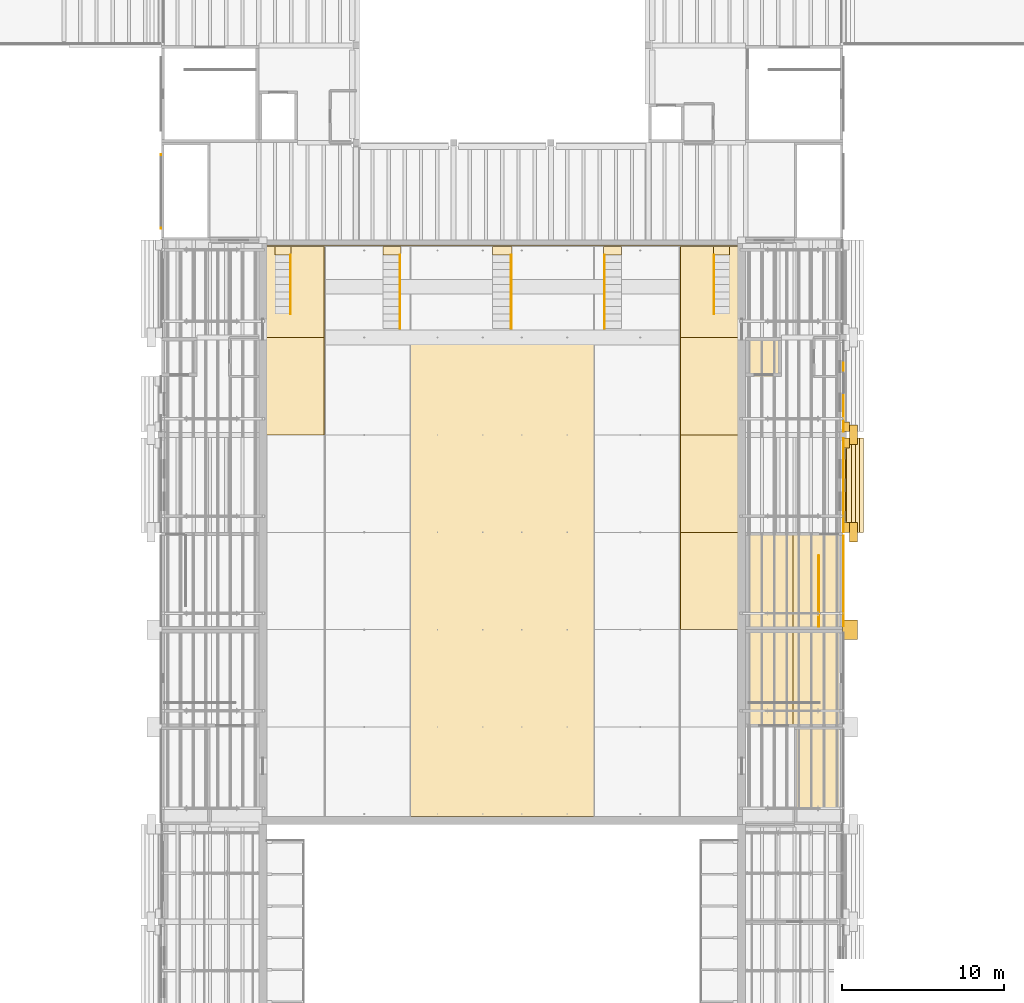
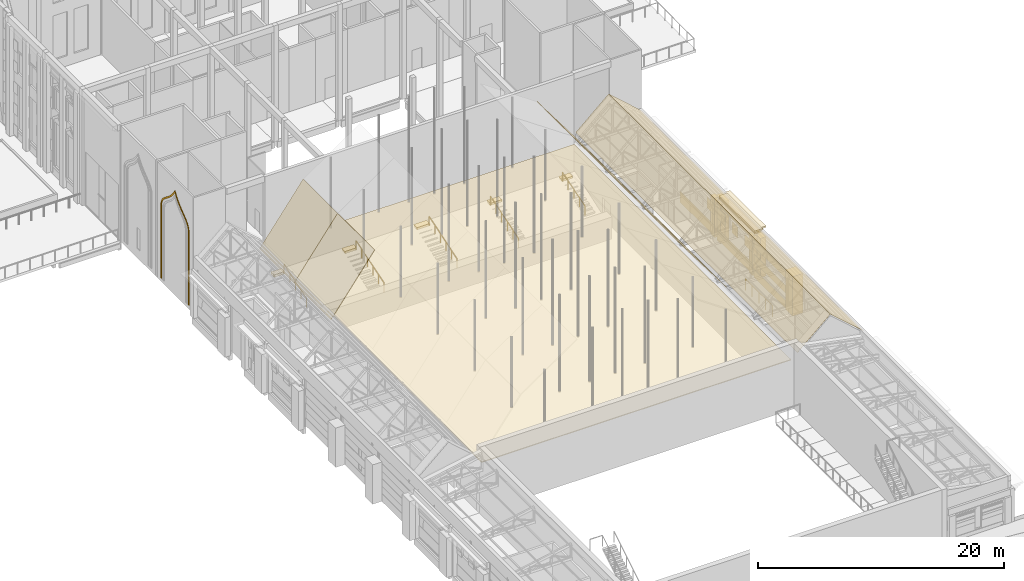
# One storey, part 111 of 118: 38 coverings, 6 railings.
"""IFC4 building model written with IfcOpenShell, lengths in metres."""

from ifc_helpers import new_model, si_unit, direction, frame, origin, origin_2d, place, context, subcontext, project, spatial, polyline, rectangle, circle, outline, extrude, material, layer, layer_set, type_object, element, save


model = new_model("IFC4")

# Units and contexts
model_context = context("Model", 3, precision=1e-05, world=origin(), true_north=direction((0.0, 1.0)))
body_context = subcontext(model_context, "Body", "Model", "MODEL_VIEW")
ifc_project = project(units=[si_unit("LENGTHUNIT", "METRE"), si_unit("AREAUNIT", "SQUARE_METRE"), si_unit("VOLUMEUNIT", "CUBIC_METRE"), si_unit("PLANEANGLEUNIT", "RADIAN"), si_unit("MASSUNIT", "GRAM", prefix="KILO")], contexts=[model_context])

# Site, building, storey
site_placement = place(None, origin())
site = spatial("IfcSite", under=ifc_project, at=site_placement, CompositionType="ELEMENT")
building_placement = place(site_placement, origin())
building = spatial("IfcBuilding", under=site, at=building_placement, Name="Saffron Lane Theatres", CompositionType="ELEMENT")
storey_placement = place(building_placement, frame((0.0, 0.0, 16.5)))
storey = spatial("IfcBuildingStorey", under=building, at=storey_placement, Name="L03", CompositionType="ELEMENT", Elevation=16.5)

# Coverings
ifc_material_1 = material(Name="Masonry sandstone", Category="masonry")
ifc_layer_1 = layer(ifc_material_1, 0.050048828125)
ifc_layer_set_1 = layer_set([ifc_layer_1], Name="Masonry sandstone")
covering_type_1 = type_object("IfcCoveringType", Name="EX-ARCH FRAME RING SANDSTONE 50", PredefinedType="CLADDING", material=ifc_layer_set_1)
covering_1_placement = place(storey_placement, frame((12.0, 90.715087890625, 7.7890625), z_axis=(1.0, 0.0, 0.0), x_axis=(0.0, -0.06709359494, -0.997746686047)))
element("IfcCovering", 1, at=covering_1_placement, inside=storey, type_object=covering_type_1, Name="Arch recess ring L03", PredefinedType="CLADDING", context=body_context, shape_type="SweptSolid", body=[
    extrude(outline(polyline([(0.0, 0.0), (0.22560601743694642, 0.0), (7.373525635446327, 0.48066270750171536), (7.3641233592022575, 0.6204836542280439), (0.2201011891852481, 0.14008303108156392), (0.01071956716665417, 0.13897181455120095), (-0.17142747453431323, 0.16587403386188582), (-0.3331092155041877, 0.21593003212833642), (-0.48038265768664534, 0.28824312154645093), (-0.6168852783023322, 0.3823240075336731), (-0.7487538670724254, 0.49482371701846667), (-0.8788951297190015, 0.6253020962348818), (-1.0110263312402075, 0.7708175653329278), (-1.1488974971785952, 0.9289157254616601), (-1.297492985846535, 1.097303866908647), (-1.460513681969971, 1.2727968193243737), (-1.6412879511812173, 1.4539473064003936), (-1.844929080386752, 1.6367411046554097), (-2.075674276128173, 1.818691054694073), (-2.3373554653090434, 1.9985607101630554), (-2.542925767863297, 2.119073014734118), (-2.355341004187072, 2.2660230786395514), (-2.1200975743405728, 2.479308489401047), (-1.915790137933522, 2.6905136055928613), (-1.7384557258847402, 2.8989261495721372), (-1.583562286752989, 3.1026486517428054), (-1.4455051254657245, 3.2983876206004665), (-1.3207920736686103, 3.4851544274583355), (-1.2053291201028489, 3.660288070677369), (-1.0938698221008347, 3.822183811977627), (-0.9823693092203761, 3.9689114212186367), (-0.8667499504748774, 4.098053487260877), (-0.7440722795978576, 4.209562982871254), (-0.6078063803352867, 4.300942709132743), (-0.45428201492211384, 4.372194779628856), (-0.27737666032585434, 4.423241520165602), (-0.06973134716069487, 4.450173329645427), (7.074290822856314, 4.930573952791907), (7.064888546612244, 5.070394899518234), (-0.08303107139713625, 4.589732192016519), (-0.3066059350810083, 4.55952697007564), (-0.5032891473717453, 4.504213961224035), (-0.677221746761242, 4.423514700834264), (-0.8305326402399086, 4.319977642223469), (-0.9666669689289844, 4.197530880344912), (-1.0906275849965517, 4.057795533750737), (-1.2075647630605122, 3.904585035488794), (-1.320710700703477, 3.7386608040185467), (-1.4370824951785224, 3.5624872777126115), (-1.5611958176546843, 3.3777183356675353), (-1.6965428364862989, 3.185342606570103), (-1.8473792520706767, 2.9867867592895387), (-2.020234980661847, 2.7845479927428642), (-2.218065868798494, 2.5789169246626993), (-2.4457458400545917, 2.3732361873700505), (-2.7901701248793653, 2.1024470384488727), (-2.412592169117314, 1.8802090163350522), (-2.159424494314574, 1.7068629363695702), (-1.9358438182760498, 1.5295697391992324), (-1.7374676255938326, 1.3522945074887294), (-1.5614055908180482, 1.1757209855035342), (-1.4015209242275195, 1.0031981463151827), (-1.2537872492357676, 0.8367095880477752), (-1.1148762002104782, 0.6777025870097586), (-0.9805341903378508, 0.5284207120969588), (-0.8441372488976622, 0.39224569692531625), (-0.702584220484919, 0.27036484703155256), (-0.5512817597365947, 0.1672468063516067), (-0.38548909883984245, 0.08516790432570873), (-0.20231802592829806, 0.02848212298438211), (0.0, 0.0)])), origin(), (0.0, 0.0, -1.0), 0.050048828125),
])
ifc_material_2 = material(Name="Masonry sandstone", Category="masonry")
ifc_layer_2 = layer(ifc_material_2, 0.0400390625)
ifc_layer_set_2 = layer_set([ifc_layer_2], Name="Masonry sandstone")
covering_type_2 = type_object("IfcCoveringType", Name="EX-BANDING COURSE SANDSTONE 40", PredefinedType="CLADDING", material=ifc_layer_set_2)
for number, where, z_axis, x_axis, name in (
    (2, (54.02001953125, 69.0, 0.0), (0.0, 0.0, 1.0), (0.0, 1.0, 0.0), "Banding course L03"),
    (3, (54.02001953125, 69.0, 1.5), (0.0, 0.0, 1.0), (0.0, 1.0, 0.0), "Banding course L03"),
    (4, (54.02001953125, 69.0, 3.0), (0.0, 0.0, 1.0), (0.0, 1.0, 0.0), "Banding course L03"),
):
    element("IfcCovering", number, at=place(storey_placement, frame(where, z_axis=z_axis, x_axis=x_axis)), inside=storey, type_object=covering_type_2, Name=name, PredefinedType="CLADDING", context=body_context, shape_type="SweptSolid", body=[
        extrude(rectangle(XDim=5.60009765625, YDim=0.0400390625, at=origin_2d()), origin(), (0.0, 0.0, 1.0), 0.75),
    ])
ifc_material_3 = material(Name="Masonry sandstone", Category="masonry")
ifc_layer_3 = layer(ifc_material_3, 0.179931640625)
ifc_layer_set_3 = layer_set([ifc_layer_3], Name="Masonry sandstone")
covering_type_3 = type_object("IfcCoveringType", Name="EX-EAVES CORNICE SANDSTONE 180", PredefinedType="CLADDING", material=ifc_layer_set_3)
covering_2_placement = place(storey_placement, frame((54.110107421875, 74.89990234375, 3.7099609375), z_axis=(0.0, 0.0, 1.0), x_axis=(0.0, -1.0, 0.0)))
element("IfcCovering", 5, at=covering_2_placement, inside=storey, type_object=covering_type_3, Name="Eaves cornice L03", PredefinedType="CLADDING", context=body_context, shape_type="SweptSolid", body=[
    extrude(rectangle(XDim=4.5, YDim=0.219970703125, at=origin_2d()), origin(), (0.0, 0.0, 1.0), 0.1298828125),
])
covering_3_placement = place(storey_placement, frame((54.074951171875, 74.89990234375, 3.580078125), z_axis=(0.0, 0.0, 1.0), x_axis=(0.0, -1.0, 0.0)))
element("IfcCovering", 6, at=covering_3_placement, inside=storey, type_object=covering_type_3, Name="Eaves cornice L03", PredefinedType="CLADDING", context=body_context, shape_type="SweptSolid", body=[
    extrude(rectangle(XDim=4.5, YDim=0.14990234375, at=origin_2d()), origin(), (0.0, 0.0, 1.0), 0.1298828125),
])
ifc_material_4 = material(Name="Face brick cladding, pale buff", Category="masonry")
ifc_layer_4 = layer(ifc_material_4, 0.0400390625)
ifc_layer_set_4 = layer_set([ifc_layer_4], Name="Face brick cladding, pale buff")
covering_type_4 = type_object("IfcCoveringType", Name="EX-FACE BRICK CLADDING PALE BUFF 40", PredefinedType="CLADDING", material=ifc_layer_set_4)
covering_4_placement = place(storey_placement, frame((54.02001953125, 81.0, 0.14990234375), z_axis=(0.0, 0.0, 1.0), x_axis=(0.0, -1.0, 0.0)))
element("IfcCovering", 7, at=covering_4_placement, inside=storey, type_object=covering_type_4, Name="Cladding course L03", PredefinedType="CLADDING", context=body_context, shape_type="SweptSolid", body=[
    extrude(rectangle(XDim=5.60009765625, YDim=0.0400390625, at=origin_2d()), origin(), (0.0, 0.0, 1.0), 1.050048828125),
])
covering_5_placement = place(storey_placement, frame((54.02001953125, 78.81494140625, 2.25), z_axis=(0.0, 0.0, 1.0), x_axis=(0.0, -1.0, 0.0)))
element("IfcCovering", 8, at=covering_5_placement, inside=storey, type_object=covering_type_4, Name="Cladding course L03", PredefinedType="CLADDING", context=body_context, shape_type="SweptSolid", body=[
    extrude(rectangle(XDim=1.22998046875, YDim=0.0400390625, at=origin_2d()), origin(), (0.0, 0.0, 1.0), 1.050048828125),
])
covering_6_placement = place(storey_placement, frame((54.02001953125, 74.89990234375, 0.14990234375), z_axis=(0.0, 0.0, 1.0), x_axis=(0.0, -1.0, 0.0)))
element("IfcCovering", 9, at=covering_6_placement, inside=storey, type_object=covering_type_4, Name="Cladding course L03", PredefinedType="CLADDING", context=body_context, shape_type="SweptSolid", body=[
    extrude(rectangle(XDim=5.800048828125, YDim=0.0400390625, at=origin_2d()), origin(), (0.0, 0.0, 1.0), 1.050048828125),
])
covering_7_placement = place(storey_placement, frame((54.02001953125, 77.135009765625, 2.25), z_axis=(0.0, 0.0, 1.0), x_axis=(0.0, -1.0, 0.0)))
element("IfcCovering", 10, at=covering_7_placement, inside=storey, type_object=covering_type_4, Name="Cladding course L03", PredefinedType="CLADDING", context=body_context, shape_type="SweptSolid", body=[
    extrude(rectangle(XDim=1.330078125, YDim=0.0400390625, at=origin_2d()), origin(), (0.0, 0.0, 1.0), 1.050048828125),
])
covering_8_placement = place(storey_placement, frame((54.02001953125, 74.89990234375, 2.25), z_axis=(0.0, 0.0, 1.0), x_axis=(0.0, -1.0, 0.0)))
element("IfcCovering", 11, at=covering_8_placement, inside=storey, type_object=covering_type_4, Name="Cladding course L03", PredefinedType="CLADDING", context=body_context, shape_type="SweptSolid", body=[
    extrude(rectangle(XDim=0.860107421875, YDim=0.0400390625, at=origin_2d()), origin(), (0.0, 0.0, 1.0), 1.050048828125),
])
covering_9_placement = place(storey_placement, frame((54.02001953125, 72.6650390625, 2.25), z_axis=(0.0, 0.0, 1.0), x_axis=(0.0, -1.0, 0.0)))
element("IfcCovering", 12, at=covering_9_placement, inside=storey, type_object=covering_type_4, Name="Cladding course L03", PredefinedType="CLADDING", context=body_context, shape_type="SweptSolid", body=[
    extrude(rectangle(XDim=1.330078125, YDim=0.0400390625, at=origin_2d()), origin(), (0.0, 0.0, 1.0), 1.050048828125),
])
ifc_material_5 = material(Name="Masonry sandstone", Category="masonry")
ifc_layer_5 = layer(ifc_material_5, 1.199951171875)
ifc_layer_set_5 = layer_set([ifc_layer_5], Name="Masonry sandstone")
covering_type_5 = type_object("IfcCoveringType", Name="EX-FLANK BUTTRESS PIER SANDSTONE 1200", PredefinedType="CLADDING", material=ifc_layer_set_5)
covering_10_placement = place(storey_placement, frame((54.425048828125, 66.0, 0.0), z_axis=(0.0, 0.0, 1.0), x_axis=(0.0, 1.0, 0.0)))
element("IfcCovering", 13, at=covering_10_placement, inside=storey, type_object=covering_type_5, Name="Flank buttress east L03", PredefinedType="CLADDING", context=body_context, shape_type="SweptSolid", body=[
    extrude(rectangle(XDim=1.199951171875, YDim=0.949951171875, at=origin_2d()), origin(), (0.0, 0.0, 1.0), 3.89990234375),
])
for number, where, z_axis, x_axis, name in (
    (14, (54.64990234375, 72.0, 0.0), (0.0, 0.0, 1.0), (0.0, 1.0, 0.0), "Flank buttress east L03"),
    (15, (54.64990234375, 78.0, 0.0), (0.0, 0.0, 1.0), (0.0, 1.0, 0.0), "Flank buttress east L03"),
):
    element("IfcCovering", number, at=place(storey_placement, frame(where, z_axis=z_axis, x_axis=x_axis)), inside=storey, type_object=covering_type_5, Name=name, PredefinedType="CLADDING", context=body_context, shape_type="SweptSolid", body=[
        extrude(rectangle(XDim=1.199951171875, YDim=0.5, at=origin_2d()), origin(), (0.0, 0.0, 1.0), 3.89990234375),
    ])
ifc_material_6 = material(Name="Masonry sandstone", Category="masonry")
ifc_layer_6 = layer(ifc_material_6, 1.050048828125)
ifc_layer_set_6 = layer_set([ifc_layer_6], Name="Masonry sandstone")
covering_type_6 = type_object("IfcCoveringType", Name="EX-FLANK CORNICE COURSE SANDSTONE 400", PredefinedType="CLADDING", material=ifc_layer_set_6)
covering_11_placement = place(storey_placement, frame((54.35009765625, 74.89990234375, 3.900146484375), z_axis=(0.0, 0.0, 1.0), x_axis=(0.0, 1.0, 0.0)))
element("IfcCovering", 16, at=covering_11_placement, inside=storey, type_object=covering_type_6, Name="Flank cornice course east 10", PredefinedType="CLADDING", context=body_context, shape_type="SweptSolid", body=[
    extrude(rectangle(XDim=5.800048828125, YDim=0.300048828125, at=origin_2d()), origin(), (0.0, 0.0, 1.0), 0.14990234375),
])
covering_12_placement = place(storey_placement, frame((54.47509765625, 74.89990234375, 4.050048828125), z_axis=(0.0, 0.0, 1.0), x_axis=(0.0, 1.0, 0.0)))
element("IfcCovering", 17, at=covering_12_placement, inside=storey, type_object=covering_type_6, Name="Flank cornice course east 10", PredefinedType="CLADDING", context=body_context, shape_type="SweptSolid", body=[
    extrude(rectangle(XDim=5.800048828125, YDim=0.550048828125, at=origin_2d()), origin(), (0.0, 0.0, 1.0), 0.14990234375),
])
covering_13_placement = place(storey_placement, frame((54.60009765625, 74.89990234375, 4.199951171875), z_axis=(0.0, 0.0, 1.0), x_axis=(0.0, 1.0, 0.0)))
element("IfcCovering", 18, at=covering_13_placement, inside=storey, type_object=covering_type_6, Name="Flank cornice course east 10", PredefinedType="CLADDING", context=body_context, shape_type="SweptSolid", body=[
    extrude(rectangle(XDim=5.800048828125, YDim=0.800048828125, at=origin_2d()), origin(), (0.0, 0.0, 1.0), 0.14990234375),
])
covering_14_placement = place(storey_placement, frame((54.72509765625, 74.89990234375, 4.35009765625), z_axis=(0.0, 0.0, 1.0), x_axis=(0.0, 1.0, 0.0)))
element("IfcCovering", 19, at=covering_14_placement, inside=storey, type_object=covering_type_6, Name="Flank cornice course east 10", PredefinedType="CLADDING", context=body_context, shape_type="SweptSolid", body=[
    extrude(rectangle(XDim=5.800048828125, YDim=1.050048828125, at=origin_2d()), origin(), (0.0, 0.0, 1.0), 0.14990234375),
])
ifc_material_7 = material(Name="Masonry sandstone", Category="masonry")
ifc_layer_7 = layer(ifc_material_7, 0.0400390625)
ifc_layer_set_7 = layer_set([ifc_layer_7], Name="Masonry sandstone")
covering_type_7 = type_object("IfcCoveringType", Name="EX-HEAD COURSE SANDSTONE 150", PredefinedType="CLADDING", material=ifc_layer_set_7)
covering_15_placement = place(storey_placement, frame((54.02001953125, 74.89990234375, 3.699951171875), z_axis=(0.0, 0.0, 1.0), x_axis=(0.0, -1.0, 0.0)))
element("IfcCovering", 20, at=covering_15_placement, inside=storey, type_object=covering_type_7, Name="Facade head course L03", PredefinedType="CLADDING", context=body_context, shape_type="SweptSolid", body=[
    extrude(rectangle(XDim=5.800048828125, YDim=0.0400390625, at=origin_2d()), origin(), (0.0, 0.0, 1.0), 0.14990234375),
])
ifc_material_8 = material(Name="Masonry sandstone", Category="masonry")
ifc_layer_8 = layer(ifc_material_8, 0.39990234375)
ifc_layer_set_8 = layer_set([ifc_layer_8], Name="Masonry sandstone")
covering_type_8 = type_object("IfcCoveringType", Name="EX-PILASTER PIER SANDSTONE 400", PredefinedType="CLADDING", material=ifc_layer_set_8)
for number, where, z_axis, x_axis, name in (
    (21, (54.199951171875, 78.5, 0.0), (0.0, 0.0, 1.0), (0.0, -1.0, 0.0), "Pilaster pier L03"),
    (22, (54.199951171875, 77.5, 0.0), (0.0, 0.0, 1.0), (0.0, -1.0, 0.0), "Pilaster pier L03"),
    (23, (54.199951171875, 72.300048828125, 0.0), (0.0, 0.0, 1.0), (0.0, -1.0, 0.0), "Pilaster pier L03"),
):
    element("IfcCovering", number, at=place(storey_placement, frame(where, z_axis=z_axis, x_axis=x_axis)), inside=storey, type_object=covering_type_8, Name=name, PredefinedType="CLADDING", context=body_context, shape_type="SweptSolid", body=[
        extrude(rectangle(XDim=0.60009765625, YDim=0.39990234375, at=origin_2d()), origin(), (0.0, 0.0, 1.0), 3.89990234375),
    ])
ifc_material_9 = material(Name="Masonry sandstone", Category="masonry")
ifc_layer_9 = layer(ifc_material_9, 0.0400390625)
ifc_layer_set_9 = layer_set([ifc_layer_9], Name="Masonry sandstone")
covering_type_9 = type_object("IfcCoveringType", Name="EX-SILL COURSE SANDSTONE 250", PredefinedType="CLADDING", material=ifc_layer_set_9)
covering_16_placement = place(storey_placement, frame((54.02001953125, 74.89990234375, 0.75), z_axis=(0.0, 0.0, 1.0), x_axis=(0.0, -1.0, 0.0)))
element("IfcCovering", 24, at=covering_16_placement, inside=storey, type_object=covering_type_9, Name="Facade sill course L03", PredefinedType="CLADDING", context=body_context, shape_type="SweptSolid", body=[
    extrude(rectangle(XDim=5.800048828125, YDim=0.0400390625, at=origin_2d()), origin(), (0.0, 0.0, 1.0), 0.25),
])
ifc_material_10 = material(Name="Acoustic ceiling panels", Category="masonry")
ifc_layer_10 = layer(ifc_material_10, 0.080078125)
ifc_layer_set_10 = layer_set([ifc_layer_10], Name="Acoustic ceiling panels")
covering_type_10 = type_object("IfcCoveringType", Name="IN-CEILING ACOUSTIC 80", PredefinedType="CEILING", material=ifc_layer_set_10)
covering_17_placement = place(storey_placement, frame((0.0, 0.0, 4.5)))
element("IfcCovering", 25, at=covering_17_placement, inside=storey, type_object=covering_type_10, Name="Auditorium ceiling", PredefinedType="CEILING", context=body_context, shape_type="SweptSolid", body=[
    extrude(outline(polyline([(18.5, 54.5), (47.5, 54.5), (47.5, 89.699951171875), (18.5, 89.699951171875), (18.5, 54.5)])), origin(), (0.0, 0.0, 1.0), 0.080078125),
])
ifc_material_11 = material(Name="Zinc standing seam roofing", Category="metal")
ifc_layer_11 = layer(ifc_material_11, 0.02001953125)
ifc_layer_set_11 = layer_set([ifc_layer_11], Name="Zinc standing seam roofing")
covering_type_11 = type_object("IfcCoveringType", Name="ST-ZINC ROOFING", PredefinedType="ROOFING", material=ifc_layer_set_11)
for number, where, z_axis, x_axis, name in (
    (26, (43.976806640625, 66.0, 10.111083984375), (0.802182935836, 0.0, 0.597078334437), (0.597078334437, 0.0, -0.802182935836), "VZ3H"),
    (27, (43.976806640625, 72.0, 10.111083984375), (0.802182935836, 0.0, 0.597078334437), (0.597078334437, 0.0, -0.802182935836), "VZ4H"),
    (28, (17.92236328125, 78.0, 4.6015625), (-0.802182935836, 0.0, 0.597078334437), (0.597078334437, 0.0, 0.802182935836), "VZ5A"),
    (29, (43.976806640625, 78.0, 10.111083984375), (0.802182935836, 0.0, 0.597078334437), (0.597078334437, 0.0, -0.802182935836), "VZ5H"),
):
    element("IfcCovering", number, at=place(storey_placement, frame(where, z_axis=z_axis, x_axis=x_axis)), inside=storey, type_object=covering_type_11, Name=name, PredefinedType="ROOFING", context=body_context, shape_type="SweptSolid", body=[
        extrude(outline(polyline([(0.0, 0.0), (6.868160912241676, 0.0), (6.868160912241676, 6.0), (0.0, 6.0), (0.0, 0.0)])), origin(), (0.0, 0.0, -1.0), 0.02001953125),
    ])
for number, where, z_axis, x_axis, name in (
    (30, (17.92236328125, 84.0, 4.6015625), (-0.802182935836, 0.0, 0.597078334437), (0.597078334437, 0.0, 0.802182935836), "VZ6A"),
    (31, (43.976806640625, 84.0, 10.111083984375), (0.802182935836, 0.0, 0.597078334437), (0.597078334437, 0.0, -0.802182935836), "VZ6H"),
):
    element("IfcCovering", number, at=place(storey_placement, frame(where, z_axis=z_axis, x_axis=x_axis)), inside=storey, type_object=covering_type_11, Name=name, PredefinedType="ROOFING", context=body_context, shape_type="SweptSolid", body=[
        extrude(outline(polyline([(0.0, 0.0), (6.868160912241676, 0.0), (6.868160912241676, 5.60009765625), (0.0, 5.60009765625), (0.0, 0.0)])), origin(), (0.0, 0.0, -1.0), 0.02001953125),
    ])
covering_18_placement = place(storey_placement, frame((54.0, 54.0, 5.45166015625), z_axis=(0.66337201579, 0.0, 0.748289762503), x_axis=(-0.748289762503, 0.0, 0.66337201579)))
element("IfcCovering", 32, at=covering_18_placement, inside=storey, type_object=covering_type_11, Name="SB2-Z1", PredefinedType="ROOFING", context=body_context, shape_type="SweptSolid", body=[
    extrude(outline(polyline([(0.0, 0.0), (4.142910689943948, 0.0), (4.142910689943948, -36.0), (0.0, -36.0), (0.0, 0.0)])), origin(), (0.0, 0.0, -1.0), 0.02001953125),
])
covering_19_placement = place(storey_placement, frame((50.89990234375, 54.0, 8.199951171875), z_axis=(-0.663401268968, 0.0, 0.748263828026), x_axis=(-0.748263828026, 0.0, -0.663401268968)))
element("IfcCovering", 33, at=covering_19_placement, inside=storey, type_object=covering_type_11, Name="SB2-Z2", PredefinedType="ROOFING", context=body_context, shape_type="SweptSolid", body=[
    extrude(outline(polyline([(0.0, 0.0), (4.142728005179409, 0.0), (4.142728005179409, -36.0), (0.0, -36.0), (0.0, 0.0)])), origin(), (0.0, 0.0, -1.0), 0.02001953125),
])
ifc_material_12 = material(Name="Cement screed", Category="screed")
covering_type_12 = type_object("IfcCoveringType", Name="VC-AISLE PLATFORM", PredefinedType="FLOORING", material=ifc_material_12)
covering_20_placement = place(storey_placement, frame((0.0, 0.0, 1.72998046875)))
element("IfcCovering", 34, at=covering_20_placement, inside=storey, type_object=covering_type_12, Name="Upper Circle aisle 1 landing 1", PredefinedType="FLOORING", context=body_context, shape_type="SweptSolid", body=[
    extrude(outline(polyline([(19.0, 89.085693359375), (20.0, 89.085693359375), (20.0, 89.60009765625), (19.0, 89.60009765625), (19.0, 89.085693359375)])), origin(), (0.0, 0.0, 1.0), 0.22998046875),
])
covering_21_placement = place(storey_placement, frame((0.0, 0.0, 1.72998046875)))
element("IfcCovering", 35, at=covering_21_placement, inside=storey, type_object=covering_type_12, Name="Upper Circle aisle 2 landing 1", PredefinedType="FLOORING", context=body_context, shape_type="SweptSolid", body=[
    extrude(outline(polyline([(25.64990234375, 89.085693359375), (26.75, 89.085693359375), (26.75, 89.60009765625), (25.64990234375, 89.60009765625), (25.64990234375, 89.085693359375)])), origin(), (0.0, 0.0, 1.0), 0.22998046875),
])
covering_22_placement = place(storey_placement, frame((0.0, 0.0, 1.72998046875)))
element("IfcCovering", 36, at=covering_22_placement, inside=storey, type_object=covering_type_12, Name="Upper Circle aisle 3 landing 1", PredefinedType="FLOORING", context=body_context, shape_type="SweptSolid", body=[
    extrude(outline(polyline([(32.39990234375, 89.085693359375), (33.60009765625, 89.085693359375), (33.60009765625, 89.60009765625), (32.39990234375, 89.60009765625), (32.39990234375, 89.085693359375)])), origin(), (0.0, 0.0, 1.0), 0.22998046875),
])
covering_23_placement = place(storey_placement, frame((0.0, 0.0, 1.72998046875)))
element("IfcCovering", 37, at=covering_23_placement, inside=storey, type_object=covering_type_12, Name="Upper Circle aisle 4 landing 1", PredefinedType="FLOORING", context=body_context, shape_type="SweptSolid", body=[
    extrude(outline(polyline([(39.25, 89.085693359375), (40.35009765625, 89.085693359375), (40.35009765625, 89.60009765625), (39.25, 89.60009765625), (39.25, 89.085693359375)])), origin(), (0.0, 0.0, 1.0), 0.22998046875),
])
covering_24_placement = place(storey_placement, frame((0.0, 0.0, 1.72998046875)))
element("IfcCovering", 38, at=covering_24_placement, inside=storey, type_object=covering_type_12, Name="Upper Circle aisle 5 landing 1", PredefinedType="FLOORING", context=body_context, shape_type="SweptSolid", body=[
    extrude(outline(polyline([(46.0, 89.085693359375), (47.0, 89.085693359375), (47.0, 89.60009765625), (46.0, 89.60009765625), (46.0, 89.085693359375)])), origin(), (0.0, 0.0, 1.0), 0.22998046875),
])

# Railings
ifc_material_13 = material(Name="Steel Grade 350", Category="steel")
railing_type_1 = type_object("IfcRailingType", Name="VC-GUARD 1100", PredefinedType="GUARDRAIL", material=ifc_material_13)
railing_1_placement = place(storey_placement, frame((52.5, 66.199951171875, 0.0)))
element("IfcRailing", 39, at=railing_1_placement, inside=storey, type_object=railing_type_1, Name="Auditorium East Rear Stair guard L03", PredefinedType="GUARDRAIL", context=body_context, shape_type="SweptSolid", body=[
    extrude(circle(Radius=0.02392578125, at=origin_2d()), frame((0.0, 0.0, 1.076171875), z_axis=(0.0, 1.0, 0.0), x_axis=(-1.0, 0.0, 0.0)), (0.0, 0.0, 1.0), 4.35009765625),
    extrude(circle(Radius=0.02099609375, at=origin_2d()), origin(), (0.0, 0.0, 1.0), 1.052001953125),
    extrude(circle(Radius=0.02099609375, at=origin_2d()), frame((0.0, 1.08740234375, 0.0)), (0.0, 0.0, 1.0), 1.052001953125),
    extrude(circle(Radius=0.02099609375, at=origin_2d()), frame((0.0, 2.175048828125, 0.0)), (0.0, 0.0, 1.0), 1.052001953125),
    extrude(circle(Radius=0.02099609375, at=origin_2d()), frame((0.0, 3.2626953125, 0.0)), (0.0, 0.0, 1.0), 1.052001953125),
    extrude(circle(Radius=0.02099609375, at=origin_2d()), frame((0.0, 4.35009765625, 0.0)), (0.0, 0.0, 1.0), 1.052001953125),
])
ifc_material_14 = material(Name="Steel Grade 350", Category="steel")
railing_type_2 = type_object("IfcRailingType", Name="VC-HANDRAIL 900", PredefinedType="HANDRAIL", material=ifc_material_14)
railing_2_placement = place(storey_placement, frame((19.949951171875, 85.449951171875, 0.64892578125)))
element("IfcRailing", 40, at=railing_2_placement, inside=storey, type_object=railing_type_2, Name="Upper Circle aisle 1 handrail", PredefinedType="HANDRAIL", context=body_context, shape_type="SweptSolid", body=[
    extrude(circle(Radius=0.02392578125, at=origin_2d()), frame((0.0, 0.0, 0.8759765625), z_axis=(0.0, 0.954876174876, 0.297004192991), x_axis=(-1.0, 0.0, 0.0)), (0.0, 0.0, 1.0), 0.951904296875),
    extrude(circle(Radius=0.02392578125, at=origin_2d()), frame((0.0, 0.908935546875, 1.15869140625), z_axis=(0.0, 0.954876174876, 0.297004192991), x_axis=(-1.0, 0.0, 0.0)), (0.0, 0.0, 1.0), 0.951904296875),
    extrude(circle(Radius=0.02392578125, at=origin_2d()), frame((0.0, 1.81787109375, 1.44140625), z_axis=(0.0, 0.954803413401, 0.297238022061), x_axis=(-1.0, 0.0, 0.0)), (0.0, 0.0, 1.0), 0.951904296875),
    extrude(circle(Radius=0.02392578125, at=origin_2d()), frame((0.0, 2.726806640625, 1.72412109375), z_axis=(0.0, 0.954876174876, 0.297004192991), x_axis=(-1.0, 0.0, 0.0)), (0.0, 0.0, 1.0), 0.951904296875),
    extrude(circle(Radius=0.02099609375, at=origin_2d()), origin(), (0.0, 0.0, 1.0), 0.851806640625),
    extrude(circle(Radius=0.02099609375, at=origin_2d()), frame((0.0, 0.908935546875, 0.28271484375)), (0.0, 0.0, 1.0), 0.851806640625),
    extrude(circle(Radius=0.02099609375, at=origin_2d()), frame((0.0, 1.81787109375, 0.5654296875)), (0.0, 0.0, 1.0), 0.851806640625),
    extrude(circle(Radius=0.02099609375, at=origin_2d()), frame((0.0, 2.726806640625, 0.848388671875)), (0.0, 0.0, 1.0), 0.851806640625),
    extrude(circle(Radius=0.02099609375, at=origin_2d()), frame((0.0, 3.6357421875, 1.131103515625)), (0.0, 0.0, 1.0), 0.851806640625),
])
railing_3_placement = place(storey_placement, frame((26.699951171875, 84.550048828125, 0.3369140625)))
element("IfcRailing", 41, at=railing_3_placement, inside=storey, type_object=railing_type_2, Name="Upper Circle aisle 2 handrail", PredefinedType="HANDRAIL", context=body_context, shape_type="SweptSolid", body=[
    extrude(circle(Radius=0.02392578125, at=origin_2d()), frame((0.0, 0.0, 0.8759765625), z_axis=(0.0, 0.952929148734, 0.303193069665), x_axis=(-1.0, 0.0, 0.0)), (0.0, 0.0, 1.0), 0.951904296875),
    extrude(circle(Radius=0.02392578125, at=origin_2d()), frame((0.0, 0.906982421875, 1.16455078125), z_axis=(0.0, 0.952952719903, 0.303118976029), x_axis=(-1.0, 0.0, 0.0)), (0.0, 0.0, 1.0), 0.951904296875),
    extrude(circle(Radius=0.02392578125, at=origin_2d()), frame((0.0, 1.814208984375, 1.453125), z_axis=(0.0, 0.952952719903, 0.303118976029), x_axis=(-1.0, 0.0, 0.0)), (0.0, 0.0, 1.0), 0.951904296875),
    extrude(circle(Radius=0.02392578125, at=origin_2d()), frame((0.0, 2.721435546875, 1.74169921875), z_axis=(0.0, 0.952855015207, 0.303425971195), x_axis=(-1.0, 0.0, 0.0)), (0.0, 0.0, 1.0), 0.951904296875),
    extrude(circle(Radius=0.02392578125, at=origin_2d()), frame((0.0, 3.62841796875, 2.0302734375), z_axis=(0.0, 0.952952719903, 0.303118976029), x_axis=(-1.0, 0.0, 0.0)), (0.0, 0.0, 1.0), 0.951904296875),
    extrude(circle(Radius=0.02099609375, at=origin_2d()), origin(), (0.0, 0.0, 1.0), 0.851806640625),
    extrude(circle(Radius=0.02099609375, at=origin_2d()), frame((0.0, 0.906982421875, 0.28857421875)), (0.0, 0.0, 1.0), 0.851806640625),
    extrude(circle(Radius=0.02099609375, at=origin_2d()), frame((0.0, 1.814208984375, 0.5771484375)), (0.0, 0.0, 1.0), 0.851806640625),
    extrude(circle(Radius=0.02099609375, at=origin_2d()), frame((0.0, 2.721435546875, 0.86572265625)), (0.0, 0.0, 1.0), 0.851806640625),
    extrude(circle(Radius=0.02099609375, at=origin_2d()), frame((0.0, 3.62841796875, 1.154541015625)), (0.0, 0.0, 1.0), 0.851806640625),
    extrude(circle(Radius=0.02099609375, at=origin_2d()), frame((0.0, 4.53564453125, 1.443115234375)), (0.0, 0.0, 1.0), 0.851806640625),
])
railing_4_placement = place(storey_placement, frame((33.550048828125, 84.550048828125, 0.3369140625)))
element("IfcRailing", 42, at=railing_4_placement, inside=storey, type_object=railing_type_2, Name="Upper Circle aisle 3 handrail", PredefinedType="HANDRAIL", context=body_context, shape_type="SweptSolid", body=[
    extrude(circle(Radius=0.02392578125, at=origin_2d()), frame((0.0, 0.0, 0.8759765625), z_axis=(0.0, 0.952929148734, 0.303193069665), x_axis=(-1.0, 0.0, 0.0)), (0.0, 0.0, 1.0), 0.951904296875),
    extrude(circle(Radius=0.02392578125, at=origin_2d()), frame((0.0, 0.906982421875, 1.16455078125), z_axis=(0.0, 0.952952719903, 0.303118976029), x_axis=(-1.0, 0.0, 0.0)), (0.0, 0.0, 1.0), 0.951904296875),
    extrude(circle(Radius=0.02392578125, at=origin_2d()), frame((0.0, 1.814208984375, 1.453125), z_axis=(0.0, 0.952952719903, 0.303118976029), x_axis=(-1.0, 0.0, 0.0)), (0.0, 0.0, 1.0), 0.951904296875),
    extrude(circle(Radius=0.02392578125, at=origin_2d()), frame((0.0, 2.721435546875, 1.74169921875), z_axis=(0.0, 0.952855015207, 0.303425971195), x_axis=(-1.0, 0.0, 0.0)), (0.0, 0.0, 1.0), 0.951904296875),
    extrude(circle(Radius=0.02392578125, at=origin_2d()), frame((0.0, 3.62841796875, 2.0302734375), z_axis=(0.0, 0.952952719903, 0.303118976029), x_axis=(-1.0, 0.0, 0.0)), (0.0, 0.0, 1.0), 0.951904296875),
    extrude(circle(Radius=0.02099609375, at=origin_2d()), origin(), (0.0, 0.0, 1.0), 0.851806640625),
    extrude(circle(Radius=0.02099609375, at=origin_2d()), frame((0.0, 0.906982421875, 0.28857421875)), (0.0, 0.0, 1.0), 0.851806640625),
    extrude(circle(Radius=0.02099609375, at=origin_2d()), frame((0.0, 1.814208984375, 0.5771484375)), (0.0, 0.0, 1.0), 0.851806640625),
    extrude(circle(Radius=0.02099609375, at=origin_2d()), frame((0.0, 2.721435546875, 0.86572265625)), (0.0, 0.0, 1.0), 0.851806640625),
    extrude(circle(Radius=0.02099609375, at=origin_2d()), frame((0.0, 3.62841796875, 1.154541015625)), (0.0, 0.0, 1.0), 0.851806640625),
    extrude(circle(Radius=0.02099609375, at=origin_2d()), frame((0.0, 4.53564453125, 1.443115234375)), (0.0, 0.0, 1.0), 0.851806640625),
])
railing_5_placement = place(storey_placement, frame((39.300048828125, 84.550048828125, 0.3369140625)))
element("IfcRailing", 43, at=railing_5_placement, inside=storey, type_object=railing_type_2, Name="Upper Circle aisle 4 handrail", PredefinedType="HANDRAIL", context=body_context, shape_type="SweptSolid", body=[
    extrude(circle(Radius=0.02392578125, at=origin_2d()), frame((0.0, 0.0, 0.8759765625), z_axis=(0.0, 0.952929148734, 0.303193069665), x_axis=(-1.0, 0.0, 0.0)), (0.0, 0.0, 1.0), 0.951904296875),
    extrude(circle(Radius=0.02392578125, at=origin_2d()), frame((0.0, 0.906982421875, 1.16455078125), z_axis=(0.0, 0.952952719903, 0.303118976029), x_axis=(-1.0, 0.0, 0.0)), (0.0, 0.0, 1.0), 0.951904296875),
    extrude(circle(Radius=0.02392578125, at=origin_2d()), frame((0.0, 1.814208984375, 1.453125), z_axis=(0.0, 0.952952719903, 0.303118976029), x_axis=(-1.0, 0.0, 0.0)), (0.0, 0.0, 1.0), 0.951904296875),
    extrude(circle(Radius=0.02392578125, at=origin_2d()), frame((0.0, 2.721435546875, 1.74169921875), z_axis=(0.0, 0.952855015207, 0.303425971195), x_axis=(-1.0, 0.0, 0.0)), (0.0, 0.0, 1.0), 0.951904296875),
    extrude(circle(Radius=0.02392578125, at=origin_2d()), frame((0.0, 3.62841796875, 2.0302734375), z_axis=(0.0, 0.952952719903, 0.303118976029), x_axis=(-1.0, 0.0, 0.0)), (0.0, 0.0, 1.0), 0.951904296875),
    extrude(circle(Radius=0.02099609375, at=origin_2d()), origin(), (0.0, 0.0, 1.0), 0.851806640625),
    extrude(circle(Radius=0.02099609375, at=origin_2d()), frame((0.0, 0.906982421875, 0.28857421875)), (0.0, 0.0, 1.0), 0.851806640625),
    extrude(circle(Radius=0.02099609375, at=origin_2d()), frame((0.0, 1.814208984375, 0.5771484375)), (0.0, 0.0, 1.0), 0.851806640625),
    extrude(circle(Radius=0.02099609375, at=origin_2d()), frame((0.0, 2.721435546875, 0.86572265625)), (0.0, 0.0, 1.0), 0.851806640625),
    extrude(circle(Radius=0.02099609375, at=origin_2d()), frame((0.0, 3.62841796875, 1.154541015625)), (0.0, 0.0, 1.0), 0.851806640625),
    extrude(circle(Radius=0.02099609375, at=origin_2d()), frame((0.0, 4.53564453125, 1.443115234375)), (0.0, 0.0, 1.0), 0.851806640625),
])
railing_6_placement = place(storey_placement, frame((46.050048828125, 85.449951171875, 0.64892578125)))
element("IfcRailing", 44, at=railing_6_placement, inside=storey, type_object=railing_type_2, Name="Upper Circle aisle 5 handrail", PredefinedType="HANDRAIL", context=body_context, shape_type="SweptSolid", body=[
    extrude(circle(Radius=0.02392578125, at=origin_2d()), frame((0.0, 0.0, 0.8759765625), z_axis=(0.0, 0.954876174876, 0.297004192991), x_axis=(-1.0, 0.0, 0.0)), (0.0, 0.0, 1.0), 0.951904296875),
    extrude(circle(Radius=0.02392578125, at=origin_2d()), frame((0.0, 0.908935546875, 1.15869140625), z_axis=(0.0, 0.954876174876, 0.297004192991), x_axis=(-1.0, 0.0, 0.0)), (0.0, 0.0, 1.0), 0.951904296875),
    extrude(circle(Radius=0.02392578125, at=origin_2d()), frame((0.0, 1.81787109375, 1.44140625), z_axis=(0.0, 0.954803413401, 0.297238022061), x_axis=(-1.0, 0.0, 0.0)), (0.0, 0.0, 1.0), 0.951904296875),
    extrude(circle(Radius=0.02392578125, at=origin_2d()), frame((0.0, 2.726806640625, 1.72412109375), z_axis=(0.0, 0.954876174876, 0.297004192991), x_axis=(-1.0, 0.0, 0.0)), (0.0, 0.0, 1.0), 0.951904296875),
    extrude(circle(Radius=0.02099609375, at=origin_2d()), origin(), (0.0, 0.0, 1.0), 0.851806640625),
    extrude(circle(Radius=0.02099609375, at=origin_2d()), frame((0.0, 0.908935546875, 0.28271484375)), (0.0, 0.0, 1.0), 0.851806640625),
    extrude(circle(Radius=0.02099609375, at=origin_2d()), frame((0.0, 1.81787109375, 0.5654296875)), (0.0, 0.0, 1.0), 0.851806640625),
    extrude(circle(Radius=0.02099609375, at=origin_2d()), frame((0.0, 2.726806640625, 0.848388671875)), (0.0, 0.0, 1.0), 0.851806640625),
    extrude(circle(Radius=0.02099609375, at=origin_2d()), frame((0.0, 3.6357421875, 1.131103515625)), (0.0, 0.0, 1.0), 0.851806640625),
])

save(model, "model.ifc")
